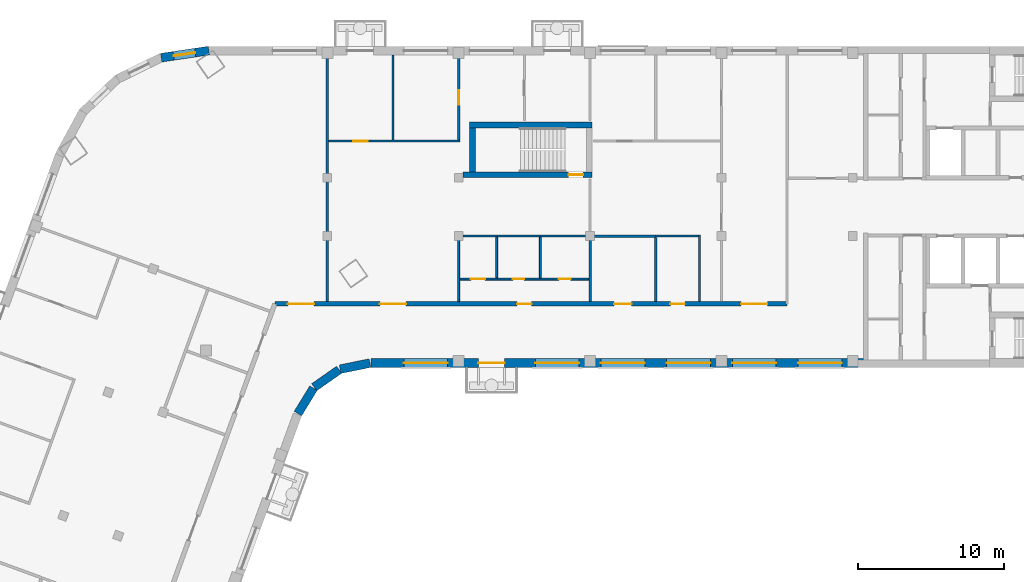
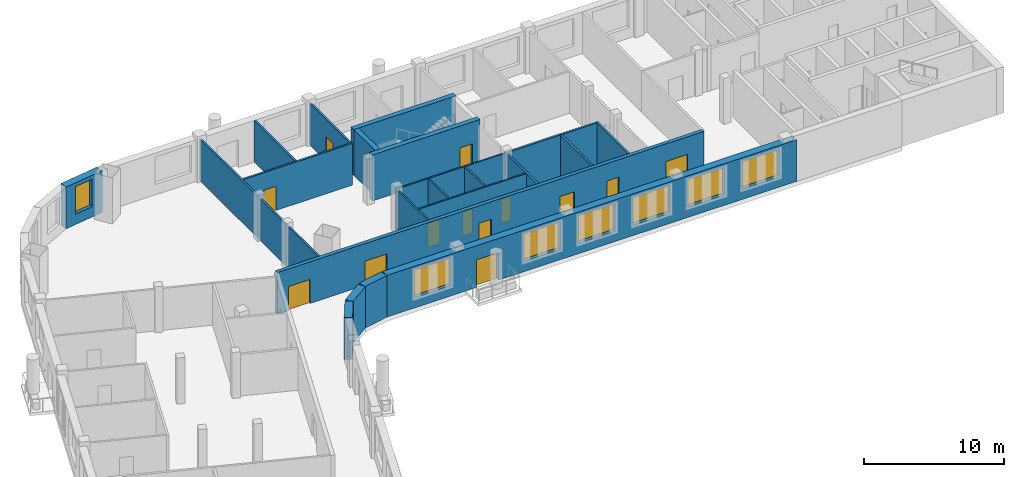
# One storey, part 4 of 10: 23 walls, 13 doors, 7 windows, 20 openings.
"""IFC4 building model written with IfcOpenShell, lengths in metres."""

from ifc_helpers import new_model, si_unit, direction, frame, frame_2d, origin, place, context, subcontext, project, spatial, rectangle, extrude, material, layer, layer_set, type_object, element, fill, save


model = new_model("IFC4")

# Units and contexts
model_context = context("Model", 3, precision=1e-05, world=origin(), true_north=direction((0.0, 1.0)))
body_context = subcontext(model_context, "Body", "Model", "MODEL_VIEW")
ifc_project = project(units=[si_unit("LENGTHUNIT", "METRE"), si_unit("AREAUNIT", "SQUARE_METRE"), si_unit("VOLUMEUNIT", "CUBIC_METRE"), si_unit("PLANEANGLEUNIT", "RADIAN"), si_unit("MASSUNIT", "GRAM", prefix="KILO")], contexts=[model_context])

# Site, building, storey
site_placement = place(None, origin())
site = spatial("IfcSite", under=ifc_project, at=site_placement, CompositionType="ELEMENT")
building_placement = place(site_placement, origin())
building = spatial("IfcBuilding", under=site, at=building_placement, Name="Skarvind Civic Tower", CompositionType="ELEMENT")
storey_placement = place(building_placement, frame((0.0, 0.0, 228.0)))
storey = spatial("IfcBuildingStorey", under=building, at=storey_placement, Name="L54", CompositionType="ELEMENT", Elevation=228.0)

# Walls
ifc_material_1 = material(Name="Acoustic gypsum board on steel studs", Category="steel")
ifc_layer_1 = layer(ifc_material_1, 0.175048828125)
ifc_layer_set_1 = layer_set([ifc_layer_1], Name="ACOUSTIC MEETING-ROOM PARTITION 175")
wall_type_1 = type_object("IfcWallType", Name="ACOUSTIC MEETING-ROOM PARTITION 175", PredefinedType="PARTITIONING", material=ifc_layer_set_1)
for number, where, z_axis, x_axis, name in (
    (1, (72.25, 121.5, 0.0), (0.0, 0.0, 1.0), (0.0, 1.0, 0.0), "Partition 54.027"),
    (2, (72.25, 126.0, 0.0), (0.0, 0.0, 1.0), (1.0, 0.0, 0.0), "Partition 54.029"),
):
    element("IfcWall", number, at=place(storey_placement, frame(where, z_axis=z_axis, x_axis=x_axis)), inside=storey, type_object=wall_type_1, Name=name, PredefinedType="PARTITIONING", context=body_context, shape_type="SweptSolid", body=[
        extrude(rectangle(XDim=4.5, YDim=0.175048828125, at=frame_2d((2.25, 0.0))), origin(), (0.0, 0.0, 1.0), 3.625),
    ])
wall_1_placement = place(storey_placement, frame((76.75, 125.912109375, 0.0), z_axis=(0.0, 0.0, 1.0), x_axis=(0.0, -1.0, 0.0)))
element("IfcWall", 3, at=wall_1_placement, inside=storey, type_object=wall_type_1, Name="Partition 54.032", PredefinedType="PARTITIONING", context=body_context, shape_type="SweptSolid", body=[
    extrude(rectangle(XDim=4.412109375, YDim=0.175048828125, at=frame_2d((2.2060546875, 0.0))), origin(), (0.0, 0.0, 1.0), 3.625),
])

# Wall, openings, doors
ifc_material_2 = material(Name="Fire-rated gypsum board on steel studs", Category="steel")
ifc_layer_2 = layer(ifc_material_2, 0.300048828125)
ifc_layer_set_2 = layer_set([ifc_layer_2], Name="CORRIDOR WALL 300")
wall_type_2 = type_object("IfcWallType", Name="CORRIDOR WALL 300", PredefinedType="PARTITIONING", material=ifc_layer_set_2)
wall_2_placement = place(storey_placement, frame((50.656982421875, 121.35009765625, 0.0), z_axis=(0.0, 0.0, 1.0), x_axis=(1.0, 0.0, 0.0)))
wall_2 = element("IfcWall", 4, at=wall_2_placement, inside=storey, type_object=wall_type_2, Name="Partition 54.016", PredefinedType="PARTITIONING", context=body_context, shape_type="SweptSolid", body=[
    extrude(rectangle(XDim=35.095947265625, YDim=0.300048828125, at=frame_2d((17.5478515625, 0.0))), origin(), (0.0, 0.0, 1.0), 3.625),
])
opening_1_placement = place(wall_2_placement, frame((27.093017578125, 0.0, 0.0)))
opening_1 = element("IfcOpeningElement", 5, at=opening_1_placement, cuts=wall_2, Name="Opening L54-D002", PredefinedType="OPENING", context=body_context, shape_type="SweptSolid", body=[
    extrude(rectangle(XDim=1.0, YDim=2.10009765625, at=frame_2d((0.5, 1.050048828125))), frame((0.0, 0.159912109375, 0.0), z_axis=(0.0, -1.0, 0.0), x_axis=(1.0, 0.0, 0.0)), (0.0, 0.0, 1.0), 0.320068359375),
])
opening_2_placement = place(wall_2_placement, frame((23.242919921875, 0.0, 0.0)))
opening_2 = element("IfcOpeningElement", 6, at=opening_2_placement, cuts=wall_2, Name="Opening L54-D003", PredefinedType="OPENING", context=body_context, shape_type="SweptSolid", body=[
    extrude(rectangle(XDim=1.199951171875, YDim=2.10009765625, at=frame_2d((0.60009765625, 1.050048828125))), frame((0.0, 0.159912109375, 0.0), z_axis=(0.0, -1.0, 0.0), x_axis=(1.0, 0.0, 0.0)), (0.0, 0.0, 1.0), 0.320068359375),
])
opening_3_placement = place(wall_2_placement, frame((31.943115234375, 0.0, 0.0)))
opening_3 = element("IfcOpeningElement", 7, at=opening_3_placement, cuts=wall_2, Name="Opening L54-D006", PredefinedType="OPENING", context=body_context, shape_type="SweptSolid", body=[
    extrude(rectangle(XDim=1.800048828125, YDim=2.10009765625, at=frame_2d((0.89990234375, 1.050048828125))), frame((0.0, 0.159912109375, 0.0), z_axis=(0.0, -1.0, 0.0), x_axis=(1.0, 0.0, 0.0)), (0.0, 0.0, 1.0), 0.320068359375),
])
opening_4_placement = place(wall_2_placement, frame((16.593017578125, 0.0, 0.0)))
opening_4 = element("IfcOpeningElement", 8, at=opening_4_placement, cuts=wall_2, Name="Opening L54-D007", PredefinedType="OPENING", context=body_context, shape_type="SweptSolid", body=[
    extrude(rectangle(XDim=1.0, YDim=2.10009765625, at=frame_2d((0.5, 1.050048828125))), frame((0.0, 0.159912109375, 0.0), z_axis=(0.0, -1.0, 0.0), x_axis=(1.0, 0.0, 0.0)), (0.0, 0.0, 1.0), 0.320068359375),
])
opening_5_placement = place(wall_2_placement, frame((7.193115234375, 0.0, 0.0)))
opening_5 = element("IfcOpeningElement", 9, at=opening_5_placement, cuts=wall_2, Name="Opening L54-D014", PredefinedType="OPENING", context=body_context, shape_type="SweptSolid", body=[
    extrude(rectangle(XDim=1.800048828125, YDim=2.10009765625, at=frame_2d((0.89990234375, 1.050048828125))), frame((0.0, 0.159912109375, 0.0), z_axis=(0.0, -1.0, 0.0), x_axis=(1.0, 0.0, 0.0)), (0.0, 0.0, 1.0), 0.320068359375),
])
opening_6_placement = place(wall_2_placement, frame((0.89599609375, 0.0, 0.0)))
opening_6 = element("IfcOpeningElement", 10, at=opening_6_placement, cuts=wall_2, Name="Opening L54-D022", PredefinedType="OPENING", context=body_context, shape_type="SweptSolid", body=[
    extrude(rectangle(XDim=1.800048828125, YDim=2.10009765625, at=frame_2d((0.89990234375, 1.050048828125))), frame((0.0, 0.159912109375, 0.0), z_axis=(0.0, -1.0, 0.0), x_axis=(1.0, 0.0, 0.0)), (0.0, 0.0, 1.0), 0.320068359375),
])
ifc_material_3 = material(Name="Fire-rated timber door leaf", Category="wood")
door_type_1 = type_object("IfcDoorType", Name="FD1 1000x2100", OperationType="NOTDEFINED", PredefinedType="DOOR", material=ifc_material_3)
door_1_placement = place(opening_1_placement, origin())
door_1 = element("IfcDoor", 11, at=door_1_placement, inside=storey, type_object=door_type_1, Name="Door L54-D002", OperationType="SINGLE_SWING_LEFT", OverallHeight=2.10009765625, OverallWidth=1.0, PredefinedType="DOOR", context=body_context, shape_type="SweptSolid", body=[
    extrude(rectangle(XDim=1.0, YDim=2.10009765625, at=frame_2d((0.5, 1.050048828125))), frame((0.0, 0.02490234375, 0.0), z_axis=(0.0, -1.0, 0.0), x_axis=(1.0, 0.0, 0.0)), (0.0, 0.0, 1.0), 0.050048828125),
])
fill(opening_1, door_1)
door_2_placement = place(opening_4_placement, origin())
door_2 = element("IfcDoor", 12, at=door_2_placement, inside=storey, type_object=door_type_1, Name="Door L54-D007", OperationType="SINGLE_SWING_LEFT", OverallHeight=2.10009765625, OverallWidth=1.0, PredefinedType="DOOR", context=body_context, shape_type="SweptSolid", body=[
    extrude(rectangle(XDim=1.0, YDim=2.10009765625, at=frame_2d((0.5, 1.050048828125))), frame((0.0, 0.02490234375, 0.0), z_axis=(0.0, -1.0, 0.0), x_axis=(1.0, 0.0, 0.0)), (0.0, 0.0, 1.0), 0.050048828125),
])
fill(opening_4, door_2)
door_type_2 = type_object("IfcDoorType", Name="FD4 1800x2100", OperationType="NOTDEFINED", PredefinedType="DOOR", material=ifc_material_3)
door_3_placement = place(opening_3_placement, origin())
door_3 = element("IfcDoor", 13, at=door_3_placement, inside=storey, type_object=door_type_2, Name="Door L54-D006", OperationType="DOUBLE_DOOR_SINGLE_SWING", OverallHeight=2.10009765625, OverallWidth=1.800048828125, PredefinedType="DOOR", context=body_context, shape_type="SweptSolid", body=[
    extrude(rectangle(XDim=1.800048828125, YDim=2.10009765625, at=frame_2d((0.89990234375, 1.050048828125))), frame((0.0, 0.02490234375, 0.0), z_axis=(0.0, -1.0, 0.0), x_axis=(1.0, 0.0, 0.0)), (0.0, 0.0, 1.0), 0.050048828125),
])
fill(opening_3, door_3)
door_4_placement = place(opening_5_placement, origin())
door_4 = element("IfcDoor", 14, at=door_4_placement, inside=storey, type_object=door_type_2, Name="Door L54-D014", OperationType="DOUBLE_DOOR_SINGLE_SWING", OverallHeight=2.10009765625, OverallWidth=1.800048828125, PredefinedType="DOOR", context=body_context, shape_type="SweptSolid", body=[
    extrude(rectangle(XDim=1.800048828125, YDim=2.10009765625, at=frame_2d((0.89990234375, 1.050048828125))), frame((0.0, 0.02490234375, 0.0), z_axis=(0.0, -1.0, 0.0), x_axis=(1.0, 0.0, 0.0)), (0.0, 0.0, 1.0), 0.050048828125),
])
fill(opening_5, door_4)
door_5_placement = place(opening_6_placement, origin())
door_5 = element("IfcDoor", 15, at=door_5_placement, inside=storey, type_object=door_type_2, Name="Door L54-D022", OperationType="DOUBLE_DOOR_SINGLE_SWING", OverallHeight=2.10009765625, OverallWidth=1.800048828125, PredefinedType="DOOR", context=body_context, shape_type="SweptSolid", body=[
    extrude(rectangle(XDim=1.800048828125, YDim=2.10009765625, at=frame_2d((0.89990234375, 1.050048828125))), frame((0.0, 0.02490234375, 0.0), z_axis=(0.0, -1.0, 0.0), x_axis=(1.0, 0.0, 0.0)), (0.0, 0.0, 1.0), 0.050048828125),
])
fill(opening_6, door_5)
door_type_3 = type_object("IfcDoorType", Name="FD6 1200x2100 DOUBLE", OperationType="NOTDEFINED", PredefinedType="DOOR", material=ifc_material_3)
door_6_placement = place(opening_2_placement, origin())
door_6 = element("IfcDoor", 16, at=door_6_placement, inside=storey, type_object=door_type_3, Name="Door L54-D003", OperationType="DOUBLE_DOOR_SINGLE_SWING", OverallHeight=2.10009765625, OverallWidth=1.199951171875, PredefinedType="DOOR", context=body_context, shape_type="SweptSolid", body=[
    extrude(rectangle(XDim=1.199951171875, YDim=2.10009765625, at=frame_2d((0.60009765625, 1.050048828125))), frame((0.0, 0.02490234375, 0.0), z_axis=(0.0, -1.0, 0.0), x_axis=(1.0, 0.0, 0.0)), (0.0, 0.0, 1.0), 0.050048828125),
])
fill(opening_2, door_6)

# Wall, opening, door
ifc_material_4 = material(Name="Concrete C60", Category="concrete")
ifc_layer_3 = layer(ifc_material_4, 0.39990234375)
ifc_layer_set_3 = layer_set([ifc_layer_3], Name="Core wall 400 C60")
wall_type_3 = type_object("IfcWallType", Name="Core wall 400 C60", PredefinedType="SHEAR", material=ifc_layer_set_3)
wall_3_placement = place(storey_placement, frame((63.550048828125, 130.199951171875, 0.0), z_axis=(0.0, 0.0, 1.0), x_axis=(1.0, 0.0, 0.0)))
wall_3 = element("IfcWall", 17, at=wall_3_placement, inside=storey, type_object=wall_type_3, Name="Core wall CM inner L54", PredefinedType="SHEAR", context=body_context, shape_type="SweptSolid", body=[
    extrude(rectangle(XDim=8.849853515625, YDim=0.39990234375, at=frame_2d((4.4248046875, 0.0))), origin(), (0.0, 0.0, 1.0), 4.0),
])
opening_7_placement = place(wall_3_placement, frame((7.22509765625, 0.0, 0.0)))
opening_7 = element("IfcOpeningElement", 18, at=opening_7_placement, cuts=wall_3, Name="Opening D-L54-CM-01", PredefinedType="OPENING", context=body_context, shape_type="SweptSolid", body=[
    extrude(rectangle(XDim=1.0, YDim=2.10009765625, at=frame_2d((0.5, 1.050048828125))), frame((0.0, 0.2099609375, 0.0), z_axis=(0.0, -1.0, 0.0), x_axis=(1.0, 0.0, 0.0)), (0.0, 0.0, 1.0), 0.419921875),
])
ifc_material_5 = material(Name="Fire-rated steel door", Category="steel")
door_type_4 = type_object("IfcDoorType", Name="Fire door 1000", OperationType="NOTDEFINED", PredefinedType="DOOR", material=ifc_material_5)
door_7_placement = place(opening_7_placement, origin())
door_7 = element("IfcDoor", 19, at=door_7_placement, inside=storey, type_object=door_type_4, Name="Fire door", OperationType="SINGLE_SWING_LEFT", OverallHeight=2.10009765625, OverallWidth=1.0, PredefinedType="DOOR", context=body_context, shape_type="SweptSolid", body=[
    extrude(rectangle(XDim=1.0, YDim=2.10009765625, at=frame_2d((0.5, 1.050048828125))), frame((0.0, 0.02490234375, 0.0), z_axis=(0.0, -1.0, 0.0), x_axis=(1.0, 0.0, 0.0)), (0.0, 0.0, 1.0), 0.050048828125),
])
fill(opening_7, door_7)

# Walls
wall_4_placement = place(storey_placement, frame((64.0, 133.60009765625, 0.0), z_axis=(0.0, 0.0, 1.0), x_axis=(1.0, 0.0, 0.0)))
element("IfcWall", 20, at=wall_4_placement, inside=storey, type_object=wall_type_3, Name="Core wall CM outer L54", PredefinedType="SHEAR", context=body_context, shape_type="SweptSolid", body=[
    extrude(rectangle(XDim=8.39990234375, YDim=0.39990234375, at=frame_2d((4.199951171875, 0.0))), origin(), (0.0, 0.0, 1.0), 4.0),
])
wall_5_placement = place(storey_placement, frame((64.199951171875, 130.39990234375, 0.0), z_axis=(0.0, 0.0, 1.0), x_axis=(0.0, 1.0, 0.0)))
element("IfcWall", 21, at=wall_5_placement, inside=storey, type_object=wall_type_3, Name="Core wall CM west L54", PredefinedType="SHEAR", context=body_context, shape_type="SweptSolid", body=[
    extrude(rectangle(XDim=3.0, YDim=0.39990234375, at=frame_2d((1.5, 0.0))), origin(), (0.0, 0.0, 1.0), 4.0),
])
ifc_material_6 = material(Name="Plasterboard partition on steel studs", Category="steel")
ifc_layer_4 = layer(ifc_material_6, 0.14990234375)
ifc_layer_set_4 = layer_set([ifc_layer_4], Name="PARTITION 150")
wall_type_4 = type_object("IfcWallType", Name="PARTITION 150", PredefinedType="PARTITIONING", material=ifc_layer_set_4)
wall_6_placement = place(storey_placement, frame((54.25, 121.5, 0.0), z_axis=(0.0, 0.0, 1.0), x_axis=(0.0, 1.0, 0.0)))
element("IfcWall", 22, at=wall_6_placement, inside=storey, type_object=wall_type_4, Name="Partition 54.017", PredefinedType="PARTITIONING", context=body_context, shape_type="SweptSolid", body=[
    extrude(rectangle(XDim=16.89990234375, YDim=0.14990234375, at=frame_2d((8.449951171875, 0.0))), origin(), (0.0, 0.0, 1.0), 3.625),
])

# Wall, opening, door
wall_7_placement = place(storey_placement, frame((63.324951171875, 132.5, 0.0), z_axis=(0.0, 0.0, 1.0), x_axis=(-1.0, 0.0, 0.0)))
wall_7 = element("IfcWall", 23, at=wall_7_placement, inside=storey, type_object=wall_type_4, Name="Partition 54.018", PredefinedType="PARTITIONING", context=body_context, shape_type="SweptSolid", body=[
    extrude(rectangle(XDim=9.0, YDim=0.14990234375, at=frame_2d((4.5, 0.0))), origin(), (0.0, 0.0, 1.0), 3.625),
])
opening_8_placement = place(wall_7_placement, frame((6.297607421875, 0.0, 0.0)))
opening_8 = element("IfcOpeningElement", 24, at=opening_8_placement, cuts=wall_7, Name="Opening L54-D013", PredefinedType="OPENING", context=body_context, shape_type="SweptSolid", body=[
    extrude(rectangle(XDim=1.0, YDim=2.10009765625, at=frame_2d((0.5, 1.050048828125))), frame((0.0, 0.0849609375, 0.0), z_axis=(0.0, -1.0, 0.0), x_axis=(1.0, 0.0, 0.0)), (0.0, 0.0, 1.0), 0.169921875),
])
ifc_material_7 = material(Name="Timber door leaf", Category="wood")
door_type_5 = type_object("IfcDoorType", Name="D1 1000x2100", OperationType="NOTDEFINED", PredefinedType="DOOR", material=ifc_material_7)
door_8_placement = place(opening_8_placement, origin())
door_8 = element("IfcDoor", 25, at=door_8_placement, inside=storey, type_object=door_type_5, Name="Door L54-D013", OperationType="SINGLE_SWING_RIGHT", OverallHeight=2.10009765625, OverallWidth=1.0, PredefinedType="DOOR", context=body_context, shape_type="SweptSolid", body=[
    extrude(rectangle(XDim=1.0, YDim=2.10009765625, at=frame_2d((0.5, 1.050048828125))), frame((0.0, 0.02490234375, 0.0), z_axis=(0.0, -1.0, 0.0), x_axis=(1.0, 0.0, 0.0)), (0.0, 0.0, 1.0), 0.050048828125),
])
fill(opening_8, door_8)

# Wall
wall_8_placement = place(storey_placement, frame((58.75, 132.574951171875, 0.0), z_axis=(0.0, 0.0, 1.0), x_axis=(0.0, 1.0, 0.0)))
element("IfcWall", 26, at=wall_8_placement, inside=storey, type_object=wall_type_4, Name="Partition 54.019", PredefinedType="PARTITIONING", context=body_context, shape_type="SweptSolid", body=[
    extrude(rectangle(XDim=5.824951171875, YDim=0.14990234375, at=frame_2d((2.91259765625, 0.0))), origin(), (0.0, 0.0, 1.0), 3.625),
])

# Wall, opening, door
wall_9_placement = place(storey_placement, frame((63.25, 138.39990234375, 0.0), z_axis=(0.0, 0.0, 1.0), x_axis=(0.0, -1.0, 0.0)))
wall_9 = element("IfcWall", 27, at=wall_9_placement, inside=storey, type_object=wall_type_4, Name="Partition 54.023", PredefinedType="PARTITIONING", context=body_context, shape_type="SweptSolid", body=[
    extrude(rectangle(XDim=5.824951171875, YDim=0.14990234375, at=frame_2d((2.91259765625, 0.0))), origin(), (0.0, 0.0, 1.0), 3.625),
])
opening_9_placement = place(wall_9_placement, frame((2.422607421875, 0.0, 0.0)))
opening_9 = element("IfcOpeningElement", 28, at=opening_9_placement, cuts=wall_9, Name="Opening L54-D012", PredefinedType="OPENING", context=body_context, shape_type="SweptSolid", body=[
    extrude(rectangle(XDim=1.0, YDim=2.10009765625, at=frame_2d((0.5, 1.050048828125))), frame((0.0, 0.0849609375, 0.0), z_axis=(0.0, -1.0, 0.0), x_axis=(1.0, 0.0, 0.0)), (0.0, 0.0, 1.0), 0.169921875),
])
door_9_placement = place(opening_9_placement, origin())
door_9 = element("IfcDoor", 29, at=door_9_placement, inside=storey, type_object=door_type_5, Name="Door L54-D012", OperationType="SINGLE_SWING_LEFT", OverallHeight=2.10009765625, OverallWidth=1.0, PredefinedType="DOOR", context=body_context, shape_type="SweptSolid", body=[
    extrude(rectangle(XDim=1.0, YDim=2.10009765625, at=frame_2d((0.5, 1.050048828125))), frame((0.0, 0.02490234375, 0.0), z_axis=(0.0, -1.0, 0.0), x_axis=(1.0, 0.0, 0.0)), (0.0, 0.0, 1.0), 0.050048828125),
])
fill(opening_9, door_9)

# Walls
wall_10_placement = place(storey_placement, frame((79.75, 121.5, 0.0), z_axis=(0.0, 0.0, 1.0), x_axis=(0.0, 1.0, 0.0)))
element("IfcWall", 30, at=wall_10_placement, inside=storey, type_object=wall_type_4, Name="Partition 54.034", PredefinedType="PARTITIONING", context=body_context, shape_type="SweptSolid", body=[
    extrude(rectangle(XDim=4.574951171875, YDim=0.14990234375, at=frame_2d((2.28759765625, 0.0))), origin(), (0.0, 0.0, 1.0), 3.625),
])
wall_11_placement = place(storey_placement, frame((79.675048828125, 126.0, 0.0), z_axis=(0.0, 0.0, 1.0), x_axis=(-1.0, 0.0, 0.0)))
element("IfcWall", 31, at=wall_11_placement, inside=storey, type_object=wall_type_4, Name="Partition 54.035", PredefinedType="PARTITIONING", context=body_context, shape_type="SweptSolid", body=[
    extrude(rectangle(XDim=2.925048828125, YDim=0.14990234375, at=frame_2d((1.46240234375, 0.0))), origin(), (0.0, 0.0, 1.0), 3.625),
])
ifc_material_8 = material(Name="Moisture-resistant gypsum board on steel studs", Category="steel")
ifc_layer_5 = layer(ifc_material_8, 0.125)
ifc_layer_set_5 = layer_set([ifc_layer_5], Name="WC PARTITION 125")
wall_type_5 = type_object("IfcWallType", Name="WC PARTITION 125", PredefinedType="PARTITIONING", material=ifc_layer_set_5)
wall_12_placement = place(storey_placement, frame((63.25, 121.5, 0.0), z_axis=(0.0, 0.0, 1.0), x_axis=(0.0, 1.0, 0.0)))
element("IfcWall", 32, at=wall_12_placement, inside=storey, type_object=wall_type_5, Name="Partition 54.020", PredefinedType="PARTITIONING", context=body_context, shape_type="SweptSolid", body=[
    extrude(rectangle(XDim=4.43798828125, YDim=0.125, at=frame_2d((2.218994140625, 0.0))), origin(), (0.0, 0.0, 1.0), 3.625),
])

# Wall, openings, doors
wall_13_placement = place(storey_placement, frame((63.31201171875, 123.050048828125, 0.0), z_axis=(0.0, 0.0, 1.0), x_axis=(1.0, 0.0, 0.0)))
wall_13 = element("IfcWall", 33, at=wall_13_placement, inside=storey, type_object=wall_type_5, Name="Partition 54.021", PredefinedType="PARTITIONING", context=body_context, shape_type="SweptSolid", body=[
    extrude(rectangle(XDim=8.85009765625, YDim=0.125, at=frame_2d((4.425048828125, 0.0))), origin(), (0.0, 0.0, 1.0), 3.625),
])
opening_10_placement = place(wall_13_placement, frame((6.803955078125, 0.0, 0.0)))
opening_10 = element("IfcOpeningElement", 34, at=opening_10_placement, cuts=wall_13, Name="Opening L54-D008", PredefinedType="OPENING", context=body_context, shape_type="SweptSolid", body=[
    extrude(rectangle(XDim=0.800048828125, YDim=2.10009765625, at=frame_2d((0.39990234375, 1.050048828125))), frame((0.0, 0.072509765625, 0.0), z_axis=(0.0, -1.0, 0.0), x_axis=(1.0, 0.0, 0.0)), (0.0, 0.0, 1.0), 0.14501953125),
])
opening_11_placement = place(wall_13_placement, frame((3.637939453125, 0.0, 0.0)))
opening_11 = element("IfcOpeningElement", 35, at=opening_11_placement, cuts=wall_13, Name="Opening L54-D009", PredefinedType="OPENING", context=body_context, shape_type="SweptSolid", body=[
    extrude(rectangle(XDim=0.800048828125, YDim=2.10009765625, at=frame_2d((0.39990234375, 1.050048828125))), frame((0.0, 0.072509765625, 0.0), z_axis=(0.0, -1.0, 0.0), x_axis=(1.0, 0.0, 0.0)), (0.0, 0.0, 1.0), 0.14501953125),
])
opening_12_placement = place(wall_13_placement, frame((0.759033203125, 0.0, 0.0)))
opening_12 = element("IfcOpeningElement", 36, at=opening_12_placement, cuts=wall_13, Name="Opening L54-D010", PredefinedType="OPENING", context=body_context, shape_type="SweptSolid", body=[
    extrude(rectangle(XDim=1.0, YDim=2.10009765625, at=frame_2d((0.5, 1.050048828125))), frame((0.0, 0.072509765625, 0.0), z_axis=(0.0, -1.0, 0.0), x_axis=(1.0, 0.0, 0.0)), (0.0, 0.0, 1.0), 0.14501953125),
])
door_10_placement = place(opening_12_placement, origin())
door_10 = element("IfcDoor", 37, at=door_10_placement, inside=storey, type_object=door_type_5, Name="Door L54-D010", OperationType="SINGLE_SWING_LEFT", OverallHeight=2.10009765625, OverallWidth=1.0, PredefinedType="DOOR", context=body_context, shape_type="SweptSolid", body=[
    extrude(rectangle(XDim=1.0, YDim=2.10009765625, at=frame_2d((0.5, 1.050048828125))), frame((0.0, 0.02490234375, 0.0), z_axis=(0.0, -1.0, 0.0), x_axis=(1.0, 0.0, 0.0)), (0.0, 0.0, 1.0), 0.050048828125),
])
fill(opening_12, door_10)
door_type_6 = type_object("IfcDoorType", Name="DOOR 800X2100 TIMBER", OperationType="NOTDEFINED", PredefinedType="DOOR", material=ifc_material_7)
door_11_placement = place(opening_10_placement, origin())
door_11 = element("IfcDoor", 38, at=door_11_placement, inside=storey, type_object=door_type_6, Name="Door L54-D008", OperationType="SINGLE_SWING_RIGHT", OverallHeight=2.10009765625, OverallWidth=0.800048828125, PredefinedType="DOOR", context=body_context, shape_type="SweptSolid", body=[
    extrude(rectangle(XDim=0.800048828125, YDim=2.10009765625, at=frame_2d((0.39990234375, 1.050048828125))), frame((0.0, 0.02490234375, 0.0), z_axis=(0.0, -1.0, 0.0), x_axis=(1.0, 0.0, 0.0)), (0.0, 0.0, 1.0), 0.050048828125),
])
fill(opening_10, door_11)
door_12_placement = place(opening_11_placement, origin())
door_12 = element("IfcDoor", 39, at=door_12_placement, inside=storey, type_object=door_type_6, Name="Door L54-D009", OperationType="SINGLE_SWING_LEFT", OverallHeight=2.10009765625, OverallWidth=0.800048828125, PredefinedType="DOOR", context=body_context, shape_type="SweptSolid", body=[
    extrude(rectangle(XDim=0.800048828125, YDim=2.10009765625, at=frame_2d((0.39990234375, 1.050048828125))), frame((0.0, 0.02490234375, 0.0), z_axis=(0.0, -1.0, 0.0), x_axis=(1.0, 0.0, 0.0)), (0.0, 0.0, 1.0), 0.050048828125),
])
fill(opening_11, door_12)

# Walls
wall_14_placement = place(storey_placement, frame((63.18798828125, 126.0, 0.0), z_axis=(0.0, 0.0, 1.0), x_axis=(1.0, 0.0, 0.0)))
element("IfcWall", 40, at=wall_14_placement, inside=storey, type_object=wall_type_5, Name="Partition 54.022", PredefinedType="PARTITIONING", context=body_context, shape_type="SweptSolid", body=[
    extrude(rectangle(XDim=9.06201171875, YDim=0.125, at=frame_2d((4.531005859375, 0.0))), origin(), (0.0, 0.0, 1.0), 3.625),
])
for number, where, z_axis, x_axis, name in (
    (41, (65.85009765625, 125.93798828125, 0.0), (0.0, 0.0, 1.0), (0.0, -1.0, 0.0), "Partition 54.024"),
    (42, (68.85009765625, 125.93798828125, 0.0), (0.0, 0.0, 1.0), (0.0, -1.0, 0.0), "Partition 54.026"),
):
    element("IfcWall", number, at=place(storey_placement, frame(where, z_axis=z_axis, x_axis=x_axis)), inside=storey, type_object=wall_type_5, Name=name, PredefinedType="PARTITIONING", context=body_context, shape_type="SweptSolid", body=[
        extrude(rectangle(XDim=2.825927734375, YDim=0.125, at=frame_2d((1.4130859375, 0.0))), origin(), (0.0, 0.0, 1.0), 3.625),
    ])
ifc_material_9 = material(Name="Limestone masonry cladding on insulated backing", Category="masonry")
ifc_layer_6 = layer(ifc_material_9, 0.60009765625)
ifc_layer_set_6 = layer_set([ifc_layer_6], Name="WX1 STONE FACADE WALL 600")
wall_type_6 = type_object("IfcWallType", Name="WX1 STONE FACADE WALL 600", PredefinedType="SOLIDWALL", material=ifc_layer_set_6)
wall_15_placement = place(storey_placement, frame((53.30517578125, 115.578369140625, 0.0), z_axis=(0.0, 0.0, 1.0), x_axis=(-0.522402266438, -0.852699168535, 0.0)))
element("IfcWall", 43, at=wall_15_placement, inside=storey, type_object=wall_type_6, Name="STONE FACADE WALL", PredefinedType="SOLIDWALL", context=body_context, shape_type="SweptSolid", body=[
    extrude(rectangle(XDim=2.042236328125, YDim=0.60009765625, at=frame_2d((1.02099609375, 0.0))), origin(), (0.0, 0.0, 1.0), 3.625),
])
for number, where, z_axis, x_axis, name in (
    (44, (55.061767578125, 116.8388671875, 0.0), (0.0, 0.0, 1.0), (-0.819122269495, -0.573618956815, 0.0), "STONE FACADE WALL"),
    (45, (57.17529296875, 117.2939453125, 0.0), (0.0, 0.0, 1.0), (-0.97996099083, -0.19918949885, 0.0), "STONE FACADE WALL"),
):
    element("IfcWall", number, at=place(storey_placement, frame(where, z_axis=z_axis, x_axis=x_axis)), inside=storey, type_object=wall_type_6, Name=name, PredefinedType="SOLIDWALL", context=body_context, shape_type="SweptSolid", body=[
        extrude(rectangle(XDim=2.09228515625, YDim=0.60009765625, at=frame_2d((1.046142578125, 0.0))), origin(), (0.0, 0.0, 1.0), 3.625),
    ])

# Wall, openings, door, windows
wall_16_placement = place(storey_placement, frame((90.97998046875, 117.300048828125, 0.0), z_axis=(0.0, 0.0, 1.0), x_axis=(-1.0, 0.0, 0.0)))
wall_16 = element("IfcWall", 46, at=wall_16_placement, inside=storey, type_object=wall_type_6, Name="STONE FACADE WALL", PredefinedType="SOLIDWALL", context=body_context, shape_type="SweptSolid", body=[
    extrude(rectangle(XDim=33.744873046875, YDim=0.60009765625, at=frame_2d((16.87255859375, 0.0))), origin(), (0.0, 0.0, 1.0), 3.625),
])
opening_13_placement = place(wall_16_placement, frame((1.47998046875, 0.0, 0.89990234375)))
opening_13 = element("IfcOpeningElement", 47, at=opening_13_placement, cuts=wall_16, Name="Opening WN1", PredefinedType="OPENING", context=body_context, shape_type="SweptSolid", body=[
    extrude(rectangle(XDim=3.0, YDim=2.39990234375, at=frame_2d((1.5, 1.199951171875))), frame((0.0, 0.31005859375, 0.0), z_axis=(0.0, -1.0, 0.0), x_axis=(1.0, 0.0, 0.0)), (0.0, 0.0, 1.0), 0.6201171875),
])
opening_14_placement = place(wall_16_placement, frame((5.97998046875, 0.0, 0.89990234375)))
opening_14 = element("IfcOpeningElement", 48, at=opening_14_placement, cuts=wall_16, Name="Opening WN1", PredefinedType="OPENING", context=body_context, shape_type="SweptSolid", body=[
    extrude(rectangle(XDim=3.0, YDim=2.39990234375, at=frame_2d((1.5, 1.199951171875))), frame((0.0, 0.31005859375, 0.0), z_axis=(0.0, -1.0, 0.0), x_axis=(1.0, 0.0, 0.0)), (0.0, 0.0, 1.0), 0.6201171875),
])
opening_15_placement = place(wall_16_placement, frame((10.47998046875, 0.0, 0.89990234375)))
opening_15 = element("IfcOpeningElement", 49, at=opening_15_placement, cuts=wall_16, Name="Opening WN1", PredefinedType="OPENING", context=body_context, shape_type="SweptSolid", body=[
    extrude(rectangle(XDim=3.0, YDim=2.39990234375, at=frame_2d((1.5, 1.199951171875))), frame((0.0, 0.31005859375, 0.0), z_axis=(0.0, -1.0, 0.0), x_axis=(1.0, 0.0, 0.0)), (0.0, 0.0, 1.0), 0.6201171875),
])
opening_16_placement = place(wall_16_placement, frame((14.97998046875, 0.0, 0.89990234375)))
opening_16 = element("IfcOpeningElement", 50, at=opening_16_placement, cuts=wall_16, Name="Opening WN1", PredefinedType="OPENING", context=body_context, shape_type="SweptSolid", body=[
    extrude(rectangle(XDim=3.0, YDim=2.39990234375, at=frame_2d((1.5, 1.199951171875))), frame((0.0, 0.31005859375, 0.0), z_axis=(0.0, -1.0, 0.0), x_axis=(1.0, 0.0, 0.0)), (0.0, 0.0, 1.0), 0.6201171875),
])
opening_17_placement = place(wall_16_placement, frame((19.47998046875, 0.0, 0.89990234375)))
opening_17 = element("IfcOpeningElement", 51, at=opening_17_placement, cuts=wall_16, Name="Opening WN1", PredefinedType="OPENING", context=body_context, shape_type="SweptSolid", body=[
    extrude(rectangle(XDim=3.0, YDim=2.39990234375, at=frame_2d((1.5, 1.199951171875))), frame((0.0, 0.31005859375, 0.0), z_axis=(0.0, -1.0, 0.0), x_axis=(1.0, 0.0, 0.0)), (0.0, 0.0, 1.0), 0.6201171875),
])
opening_18_placement = place(wall_16_placement, frame((24.580078125, 0.0, 0.0)))
opening_18 = element("IfcOpeningElement", 52, at=opening_18_placement, cuts=wall_16, Name="Opening DX3", PredefinedType="OPENING", context=body_context, shape_type="SweptSolid", body=[
    extrude(rectangle(XDim=1.800048828125, YDim=2.39990234375, at=frame_2d((0.89990234375, 1.199951171875))), frame((0.0, 0.31005859375, 0.0), z_axis=(0.0, -1.0, 0.0), x_axis=(1.0, 0.0, 0.0)), (0.0, 0.0, 1.0), 0.6201171875),
])
opening_19_placement = place(wall_16_placement, frame((28.47998046875, 0.0, 0.89990234375)))
opening_19 = element("IfcOpeningElement", 53, at=opening_19_placement, cuts=wall_16, Name="Opening WN1", PredefinedType="OPENING", context=body_context, shape_type="SweptSolid", body=[
    extrude(rectangle(XDim=3.0, YDim=2.39990234375, at=frame_2d((1.5, 1.199951171875))), frame((0.0, 0.31005859375, 0.0), z_axis=(0.0, -1.0, 0.0), x_axis=(1.0, 0.0, 0.0)), (0.0, 0.0, 1.0), 0.6201171875),
])
ifc_material_10 = material(Name="Timber and glass doorset", Category="wood")
door_type_7 = type_object("IfcDoorType", Name="DX3 TERRACE DOORS 1800 x 2400", OperationType="NOTDEFINED", PredefinedType="DOOR", material=ifc_material_10)
door_13_placement = place(opening_18_placement, origin())
door_13 = element("IfcDoor", 54, at=door_13_placement, inside=storey, type_object=door_type_7, Name="TERRACE DOORS", OperationType="DOUBLE_DOOR_SINGLE_SWING", OverallHeight=2.39990234375, OverallWidth=1.800048828125, PredefinedType="DOOR", context=body_context, shape_type="SweptSolid", body=[
    extrude(rectangle(XDim=1.800048828125, YDim=2.39990234375, at=frame_2d((0.89990234375, 1.199951171875))), frame((0.0, 0.02490234375, 0.0), z_axis=(0.0, -1.0, 0.0), x_axis=(1.0, 0.0, 0.0)), (0.0, 0.0, 1.0), 0.050048828125),
])
fill(opening_18, door_13)
ifc_material_11 = material(Name="Timber frame, double glazing, timber-lined reveal", Category="wood")
window_type_1 = type_object("IfcWindowType", Name="WN1 PUNCHED STONE WINDOW 3000 x 2400", PartitioningType="SINGLE_PANEL", PredefinedType="WINDOW", material=ifc_material_11)
window_1_placement = place(opening_13_placement, origin())
window_1 = element("IfcWindow", 55, at=window_1_placement, inside=storey, type_object=window_type_1, Name="WN1 WINDOW", OverallHeight=2.39990234375, OverallWidth=3.0, PartitioningType="SINGLE_PANEL", PredefinedType="WINDOW", context=body_context, shape_type="SweptSolid", body=[
    extrude(rectangle(XDim=3.0, YDim=2.39990234375, at=frame_2d((1.5, 1.199951171875))), frame((0.0, 0.030029296875, 0.0), z_axis=(0.0, -1.0, 0.0), x_axis=(1.0, 0.0, 0.0)), (0.0, 0.0, 1.0), 0.06005859375),
])
fill(opening_13, window_1)
window_2_placement = place(opening_14_placement, origin())
window_2 = element("IfcWindow", 56, at=window_2_placement, inside=storey, type_object=window_type_1, Name="WN1 WINDOW", OverallHeight=2.39990234375, OverallWidth=3.0, PartitioningType="SINGLE_PANEL", PredefinedType="WINDOW", context=body_context, shape_type="SweptSolid", body=[
    extrude(rectangle(XDim=3.0, YDim=2.39990234375, at=frame_2d((1.5, 1.199951171875))), frame((0.0, 0.030029296875, 0.0), z_axis=(0.0, -1.0, 0.0), x_axis=(1.0, 0.0, 0.0)), (0.0, 0.0, 1.0), 0.06005859375),
])
fill(opening_14, window_2)
window_3_placement = place(opening_15_placement, origin())
window_3 = element("IfcWindow", 57, at=window_3_placement, inside=storey, type_object=window_type_1, Name="WN1 WINDOW", OverallHeight=2.39990234375, OverallWidth=3.0, PartitioningType="SINGLE_PANEL", PredefinedType="WINDOW", context=body_context, shape_type="SweptSolid", body=[
    extrude(rectangle(XDim=3.0, YDim=2.39990234375, at=frame_2d((1.5, 1.199951171875))), frame((0.0, 0.030029296875, 0.0), z_axis=(0.0, -1.0, 0.0), x_axis=(1.0, 0.0, 0.0)), (0.0, 0.0, 1.0), 0.06005859375),
])
fill(opening_15, window_3)
window_4_placement = place(opening_16_placement, origin())
window_4 = element("IfcWindow", 58, at=window_4_placement, inside=storey, type_object=window_type_1, Name="WN1 WINDOW", OverallHeight=2.39990234375, OverallWidth=3.0, PartitioningType="SINGLE_PANEL", PredefinedType="WINDOW", context=body_context, shape_type="SweptSolid", body=[
    extrude(rectangle(XDim=3.0, YDim=2.39990234375, at=frame_2d((1.5, 1.199951171875))), frame((0.0, 0.030029296875, 0.0), z_axis=(0.0, -1.0, 0.0), x_axis=(1.0, 0.0, 0.0)), (0.0, 0.0, 1.0), 0.06005859375),
])
fill(opening_16, window_4)
window_5_placement = place(opening_17_placement, origin())
window_5 = element("IfcWindow", 59, at=window_5_placement, inside=storey, type_object=window_type_1, Name="WN1 WINDOW", OverallHeight=2.39990234375, OverallWidth=3.0, PartitioningType="SINGLE_PANEL", PredefinedType="WINDOW", context=body_context, shape_type="SweptSolid", body=[
    extrude(rectangle(XDim=3.0, YDim=2.39990234375, at=frame_2d((1.5, 1.199951171875))), frame((0.0, 0.030029296875, 0.0), z_axis=(0.0, -1.0, 0.0), x_axis=(1.0, 0.0, 0.0)), (0.0, 0.0, 1.0), 0.06005859375),
])
fill(opening_17, window_5)
window_6_placement = place(opening_19_placement, origin())
window_6 = element("IfcWindow", 60, at=window_6_placement, inside=storey, type_object=window_type_1, Name="WN1 WINDOW", OverallHeight=2.39990234375, OverallWidth=3.0, PartitioningType="SINGLE_PANEL", PredefinedType="WINDOW", context=body_context, shape_type="SweptSolid", body=[
    extrude(rectangle(XDim=3.0, YDim=2.39990234375, at=frame_2d((1.5, 1.199951171875))), frame((0.0, 0.030029296875, 0.0), z_axis=(0.0, -1.0, 0.0), x_axis=(1.0, 0.0, 0.0)), (0.0, 0.0, 1.0), 0.06005859375),
])
fill(opening_19, window_6)

# Wall, opening, window
wall_17_placement = place(storey_placement, frame((42.872802734375, 138.21728515625, 0.0), z_axis=(0.0, 0.0, 1.0), x_axis=(0.989110792192, 0.14717282619, 0.0)))
wall_17 = element("IfcWall", 61, at=wall_17_placement, inside=storey, type_object=wall_type_6, Name="STONE FACADE WALL", PredefinedType="SOLIDWALL", context=body_context, shape_type="SweptSolid", body=[
    extrude(rectangle(XDim=3.302734375, YDim=0.60009765625, at=frame_2d((1.6513671875, 0.0))), origin(), (0.0, 0.0, 1.0), 3.625),
])
opening_20_placement = place(wall_17_placement, frame((0.8564453125, 0.0, 0.89990234375)))
opening_20 = element("IfcOpeningElement", 62, at=opening_20_placement, cuts=wall_17, Name="Opening WN8", PredefinedType="OPENING", context=body_context, shape_type="SweptSolid", body=[
    extrude(rectangle(XDim=1.5, YDim=2.39990234375, at=frame_2d((0.75, 1.199951171875))), frame((0.0, 0.31005859375, 0.0), z_axis=(0.0, -1.0, 0.0), x_axis=(1.0, 0.0, 0.0)), (0.0, 0.0, 1.0), 0.6201171875),
])
window_type_2 = type_object("IfcWindowType", Name="WN8 ARC BAY WINDOW 1500 x 2400", PartitioningType="SINGLE_PANEL", PredefinedType="WINDOW", material=ifc_material_11)
window_7_placement = place(opening_20_placement, origin())
window_7 = element("IfcWindow", 63, at=window_7_placement, inside=storey, type_object=window_type_2, Name="WN8 WINDOW", OverallHeight=2.39990234375, OverallWidth=1.5, PartitioningType="SINGLE_PANEL", PredefinedType="WINDOW", context=body_context, shape_type="SweptSolid", body=[
    extrude(rectangle(XDim=1.5, YDim=2.39990234375, at=frame_2d((0.75, 1.199951171875))), frame((0.0, 0.030029296875, 0.0), z_axis=(0.0, -1.0, 0.0), x_axis=(1.0, 0.0, 0.0)), (0.0, 0.0, 1.0), 0.06005859375),
])
fill(opening_20, window_7)

save(model, "model.ifc")
